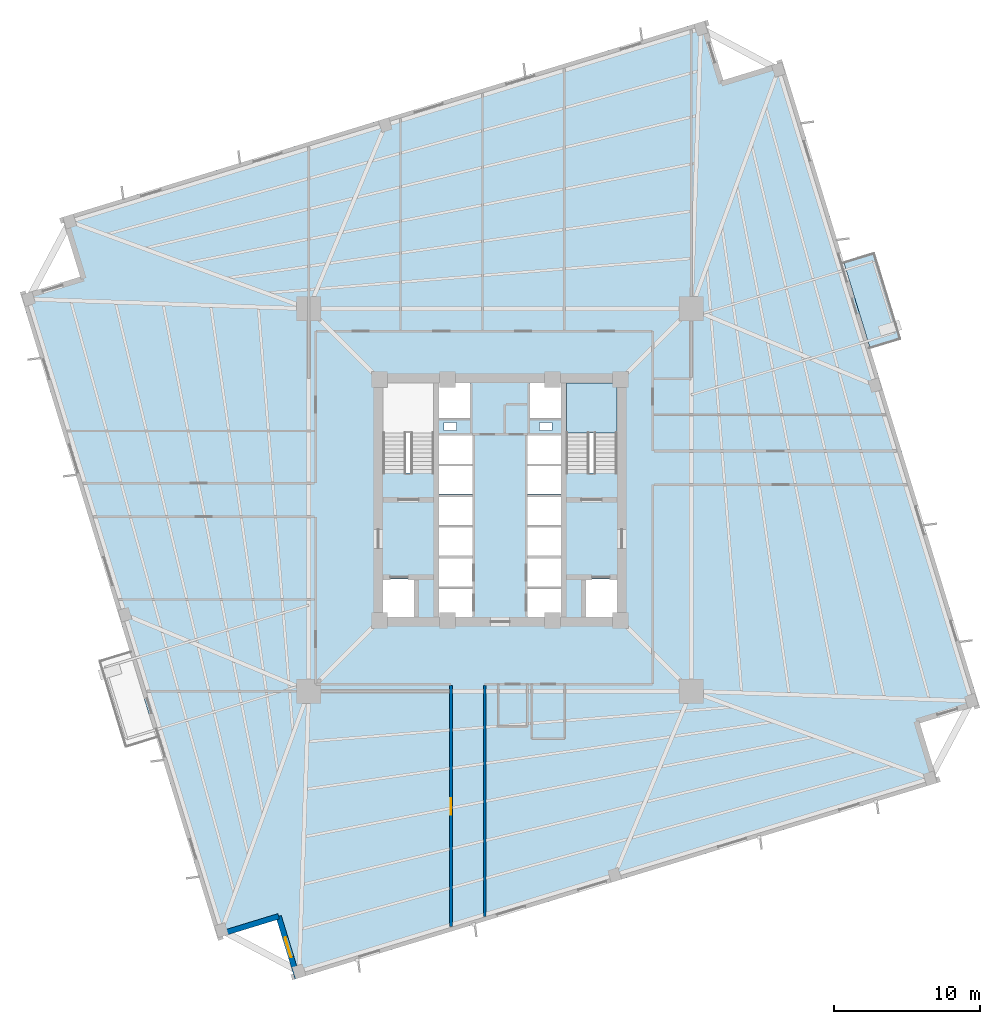
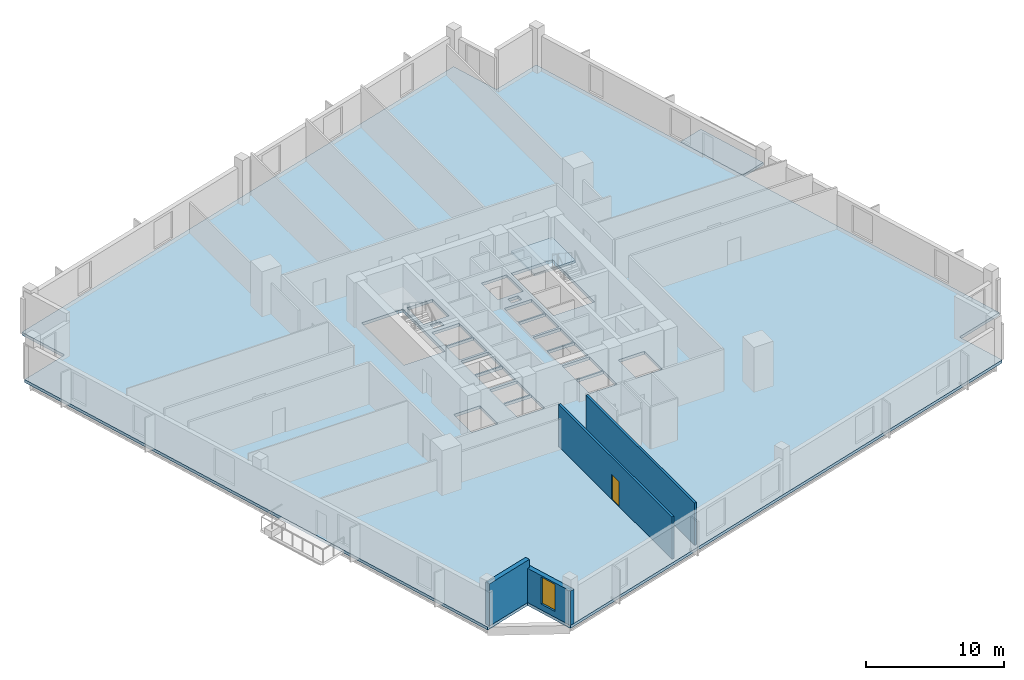
# One storey, part 2 of 9: 4 walls, 3 slabs, 1 door, 1 window, 2 openings, 1 element without a shape of its own.
"""IFC4 building model written with IfcOpenShell, lengths in metres."""

from ifc_helpers import new_model, si_unit, direction, frame, frame_2d, origin, place, context, subcontext, project, spatial, polyline, rectangle, outline, extrude, source, transform, mapped, material, layer, layer_set, type_object, element, fill, aggregate, save


model = new_model("IFC4")

# Units and contexts
model_context = context("Model", 3, precision=1e-05, world=origin(), true_north=direction((0.0, 1.0)))
body_context = subcontext(model_context, "Body", "Model", "MODEL_VIEW")
ifc_project = project(units=[si_unit("LENGTHUNIT", "METRE"), si_unit("AREAUNIT", "SQUARE_METRE"), si_unit("VOLUMEUNIT", "CUBIC_METRE"), si_unit("PLANEANGLEUNIT", "RADIAN"), si_unit("MASSUNIT", "GRAM", prefix="KILO"), si_unit("THERMODYNAMICTEMPERATUREUNIT", "KELVIN")], contexts=[model_context])

# Site, building, storey
site_placement = place(None, origin())
site = spatial("IfcSite", under=ifc_project, at=site_placement, CompositionType="ELEMENT")
building_placement = place(site_placement, origin())
building = spatial("IfcBuilding", under=site, at=building_placement, Name="Kosmvard Interchange Tower", CompositionType="ELEMENT")
storey_placement = place(building_placement, frame((0.0, 0.0, 83.199951171875)))
storey = spatial("IfcBuildingStorey", under=building, at=storey_placement, Name="L19", CompositionType="ELEMENT", Elevation=83.199951171875)

# Slab
ifc_material_1 = material(Name="Concrete C50/60", Category="concrete")
ifc_layer_1 = layer(ifc_material_1, 0.260009765625, Name="Concrete C50/60")
ifc_layer_set_1 = layer_set([ifc_layer_1], Name="Concrete C50/60")
slab_type_1 = type_object("IfcSlabType", Name="Mid-Rise Office Composite Slab 260 C50/60", PredefinedType="FLOOR", material=ifc_layer_set_1)
slab_1_placement = place(storey_placement, frame((0.0, 0.0, -0.260009765625)))
element("IfcSlab", 1, at=slab_1_placement, inside=storey, type_object=slab_type_1, Name="L19 Structural Floor Slab", PredefinedType="FLOOR", context=body_context, shape_type="SweptSolid", body=[
    extrude(outline(polyline([(-14.02783203125, -32.783935546875), (29.962158203125, -19.334716796875), (28.719482421875, -15.2705078125), (32.783935546875, -14.02783203125), (19.334716796875, 29.962158203125), (15.2705078125, 28.719482421875), (14.02783203125, 32.783935546875), (-29.962158203125, 19.334716796875), (-28.719482421875, 15.2705078125), (-32.783935546875, 14.02783203125), (-19.334716796875, -29.962158203125), (-15.2705078125, -28.719482421875), (-14.02783203125, -32.783935546875)]), holes=[polyline([(-8.0, 1.8349609375), (-4.5400390625, 1.8349609375), (-4.5400390625, 8.0), (-8.0, 8.0), (-8.0, 1.8349609375)]), polyline([(4.5400390625, 1.8349609375), (8.0, 1.8349609375), (8.0, 8.0), (4.5400390625, 8.0), (4.5400390625, 1.8349609375)]), polyline([(-8.0, -8.0), (-5.800048828125, -8.0), (-5.800048828125, -5.39990234375), (-8.0, -5.39990234375), (-8.0, -8.0)]), polyline([(5.800048828125, -8.0), (8.0, -8.0), (8.0, -5.39990234375), (5.800048828125, -5.39990234375), (5.800048828125, -8.0)]), polyline([(-4.179931640625, -8.0), (-1.8798828125, -8.0), (-1.8798828125, -6.06005859375), (-4.179931640625, -6.06005859375), (-4.179931640625, -8.0)]), polyline([(-4.179931640625, -5.93994140625), (-1.8798828125, -5.93994140625), (-1.8798828125, -4.0), (-4.179931640625, -4.0), (-4.179931640625, -5.93994140625)]), polyline([(1.8798828125, -8.0), (4.179931640625, -8.0), (4.179931640625, -6.06005859375), (1.8798828125, -6.06005859375), (1.8798828125, -8.0)]), polyline([(1.8798828125, -5.93994140625), (4.179931640625, -5.93994140625), (4.179931640625, -4.0), (1.8798828125, -4.0), (1.8798828125, -5.93994140625)]), polyline([(-4.179931640625, -3.800048828125), (-1.8798828125, -3.800048828125), (-1.8798828125, -1.860107421875), (-4.179931640625, -1.860107421875), (-4.179931640625, -3.800048828125)]), polyline([(-4.179931640625, -1.739990234375), (-1.8798828125, -1.739990234375), (-1.8798828125, 0.199951171875), (-4.179931640625, 0.199951171875), (-4.179931640625, -1.739990234375)]), polyline([(1.8798828125, -3.800048828125), (4.179931640625, -3.800048828125), (4.179931640625, -1.860107421875), (1.8798828125, -1.860107421875), (1.8798828125, -3.800048828125)]), polyline([(1.8798828125, -1.739990234375), (4.179931640625, -1.739990234375), (4.179931640625, 0.199951171875), (1.8798828125, 0.199951171875), (1.8798828125, -1.739990234375)]), polyline([(-4.179931640625, 0.39990234375), (-1.8798828125, 0.39990234375), (-1.8798828125, 2.340087890625), (-4.179931640625, 2.340087890625), (-4.179931640625, 0.39990234375)]), polyline([(-4.179931640625, 2.4599609375), (-1.8798828125, 2.4599609375), (-1.8798828125, 4.39990234375), (-4.179931640625, 4.39990234375), (-4.179931640625, 2.4599609375)]), polyline([(1.8798828125, 0.39990234375), (4.179931640625, 0.39990234375), (4.179931640625, 2.340087890625), (1.8798828125, 2.340087890625), (1.8798828125, 0.39990234375)]), polyline([(1.8798828125, 2.4599609375), (4.179931640625, 2.4599609375), (4.179931640625, 4.39990234375), (1.8798828125, 4.39990234375), (1.8798828125, 2.4599609375)]), polyline([(-4.179931640625, 5.60009765625), (-2.0400390625, 5.60009765625), (-2.0400390625, 8.0), (-4.179931640625, 8.0), (-4.179931640625, 5.60009765625)]), polyline([(2.0400390625, 5.60009765625), (4.179931640625, 5.60009765625), (4.179931640625, 8.0), (2.0400390625, 8.0), (2.0400390625, 5.60009765625)]), polyline([(-3.81494140625, 4.739990234375), (-2.965087890625, 4.739990234375), (-2.965087890625, 5.2900390625), (-3.81494140625, 5.2900390625), (-3.81494140625, 4.739990234375)]), polyline([(2.715087890625, 4.739990234375), (3.56494140625, 4.739990234375), (3.56494140625, 5.2900390625), (2.715087890625, 5.2900390625), (2.715087890625, 4.739990234375)])]), origin(), (0.0, 0.0, 1.0), 0.260009765625),
])

# Stair, slab
stair_type = type_object("IfcStairType", Name="Dog-Leg Core Exit Stair H4000 C50/60", PredefinedType="HALF_TURN_STAIR", material=ifc_material_1)
stair_placement = place(storey_placement, origin())
stair = element("IfcStair", 2, at=stair_placement, inside=storey, type_object=stair_type, Name="L19 Protected Exit Stair ST-2", PredefinedType="HALF_TURN_STAIR")
ifc_layer_2 = layer(ifc_material_1, 0.199951171875, Name="Concrete C50/60")
ifc_layer_set_2 = layer_set([ifc_layer_2], Name="Concrete C50/60")
slab_type_2 = type_object("IfcSlabType", Name="Stair Half-Landing Slab 200 C50/60", PredefinedType="LANDING", material=ifc_layer_set_2)
slab_2_placement = place(storey_placement, frame((0.0, 0.0, 1.800048828125)))
slab_2 = element("IfcSlab", 3, at=slab_2_placement, type_object=slab_type_2, Name="ST-2 landing 1", PredefinedType="LANDING", context=body_context, shape_type="SweptSolid", body=[
    extrude(outline(polyline([(8.0, 4.60009765625), (8.0, 8.0), (4.5400390625, 8.0), (4.5400390625, 4.60009765625), (8.0, 4.60009765625)])), origin(), (0.0, 0.0, 1.0), 0.199951171875),
])
aggregate(stair, [slab_2])

# Slab
ifc_layer_3 = layer(ifc_material_1, 0.22998046875, Name="Concrete C50/60")
ifc_layer_set_3 = layer_set([ifc_layer_3], Name="Concrete C50/60")
slab_type_3 = type_object("IfcSlabType", Name="Tree-Planter Cantilever Balcony Slab 230 C50/60", PredefinedType="FLOOR", material=ifc_layer_set_3)
slab_3_placement = place(storey_placement, frame((0.0, 0.0, -0.22998046875)))
element("IfcSlab", 4, at=slab_3_placement, inside=storey, type_object=slab_type_3, Name="L19 Outdoor Terrace Balcony Slab BAL-L19-E", PredefinedType="FLOOR", context=body_context, shape_type="SweptSolid", body=[
    extrude(outline(polyline([(25.328369140625, 10.35791015625), (27.43212890625, 11.001220703125), (25.61962890625, 16.93017578125), (23.515625, 16.286865234375), (25.328369140625, 10.35791015625)])), origin(), (0.0, 0.0, 1.0), 0.22998046875),
])

# Wall, opening, door
ifc_material_2 = material(Name="Fire-rated gypsum partition system")
ifc_layer_4 = layer(ifc_material_2, 0.179931640625, Name="Fire-rated gypsum partition system")
ifc_layer_set_4 = layer_set([ifc_layer_4], Name="Fire-rated gypsum partition system")
wall_type_1 = type_object("IfcWallType", Name="Corridor & Hotel Compartment Partition 180", PredefinedType="PARTITIONING", material=ifc_layer_set_4)
wall_1_placement = place(storey_placement, frame((-3.35009765625, -29.18994140625, 0.0), z_axis=(0.0, 0.0, 1.0), x_axis=(0.0, 1.0, 0.0)))
wall_1 = element("IfcWall", 5, at=wall_1_placement, inside=storey, type_object=wall_type_1, Name="L19 Corridor Wall SSW", PredefinedType="PARTITIONING", context=body_context, shape_type="SweptSolid", body=[
    extrude(rectangle(XDim=16.489990234375, YDim=0.179931640625, at=frame_2d((8.2451171875, 0.0))), origin(), (0.0, 0.0, 1.0), 3.739990234375),
])
opening_1_placement = place(wall_1_placement, frame((7.6689453125, 0.0, 0.0)))
opening_1 = element("IfcOpeningElement", 6, at=opening_1_placement, cuts=wall_1, Name="Opening L19-D14", PredefinedType="OPENING", context=body_context, shape_type="SweptSolid", body=[
    extrude(rectangle(XDim=1.10009765625, YDim=2.199951171875, at=frame_2d((0.550048828125, 1.10009765625))), frame((0.0, 0.10009765625, 0.0), z_axis=(0.0, -1.0, 0.0), x_axis=(1.0, 0.0, 0.0)), (0.0, 0.0, 1.0), 0.199951171875),
])
ifc_material_3 = material(Name="Engineered oak fire-rated timber", Category="wood")
door_type = type_object("IfcDoorType", Name="Office Suite Entrance Door 1100x2200 FD30S", OperationType="NOTDEFINED", PredefinedType="DOOR", material=ifc_material_3)
shared_shape_1 = source(origin(), body_context, "Body", "SweptSolid", [
    extrude(rectangle(XDim=1.10009765625, YDim=2.199951171875, at=frame_2d((0.550048828125, 1.10009765625))), frame((0.0, 0.02490234375, 0.0), z_axis=(0.0, -1.0, 0.0), x_axis=(1.0, 0.0, 0.0)), (0.0, 0.0, 1.0), 0.050048828125),
])
door_placement = place(opening_1_placement, origin())
door = element("IfcDoor", 7, at=door_placement, inside=storey, type_object=door_type, Name="L19 South-West Director Office Door", OperationType="SINGLE_SWING_RIGHT", OverallHeight=2.199951171875, OverallWidth=1.10009765625, PredefinedType="DOOR", context=body_context, shape_type="MappedRepresentation", body=[
    mapped(shared_shape_1, transform((0.0, 0.0, 0.0), scale=1.0)),
])
fill(opening_1, door)

# Walls
wall_2_placement = place(storey_placement, frame((-1.050048828125, -28.48681640625, 0.0), z_axis=(0.0, 0.0, 1.0), x_axis=(0.0, 1.0, 0.0)))
element("IfcWall", 8, at=wall_2_placement, inside=storey, type_object=wall_type_1, Name="L19 Corridor Wall SSE", PredefinedType="PARTITIONING", context=body_context, shape_type="SweptSolid", body=[
    extrude(rectangle(XDim=15.786865234375, YDim=0.179931640625, at=frame_2d((7.8935546875, 0.0))), origin(), (0.0, 0.0, 1.0), 3.739990234375),
])
ifc_material_4 = material(Name="Precast concrete C45/55", Category="concrete")
ifc_layer_5 = layer(ifc_material_4, 0.3798828125, Name="Precast concrete C45/55")
ifc_layer_set_5 = layer_set([ifc_layer_5], Name="Precast concrete C45/55")
wall_type_2 = type_object("IfcWallType", Name="Lower Tower Precast Pier Wall 380 C45/55", PredefinedType="STANDARD", material=ifc_layer_set_5)
wall_3_placement = place(storey_placement, frame((-19.20849609375, -29.724853515625, 0.0), z_axis=(0.0, 0.0, 1.0), x_axis=(0.956312764915, 0.292345507338, 0.0)))
element("IfcWall", 9, at=wall_3_placement, inside=storey, type_object=wall_type_2, Name="L19 Precast Facade Wall N-SW1", PredefinedType="STANDARD", context=body_context, shape_type="SweptSolid", body=[
    extrude(rectangle(XDim=4.249755859375, YDim=0.3798828125, at=frame_2d((2.125, 0.0))), origin(), (0.0, 0.0, 1.0), 3.739990234375),
])

# Wall, opening, window
wall_4_placement = place(storey_placement, frame((-15.144287109375, -28.482421875, 0.0), z_axis=(0.0, 0.0, 1.0), x_axis=(0.292373601522, -0.956304176051, 0.0)))
wall_4 = element("IfcWall", 10, at=wall_4_placement, inside=storey, type_object=wall_type_2, Name="L19 Precast Facade Wall N-SW2", PredefinedType="STANDARD", context=body_context, shape_type="SweptSolid", body=[
    extrude(rectangle(XDim=4.43994140625, YDim=0.3798828125, at=frame_2d((2.219970703125, 0.0))), origin(), (0.0, 0.0, 1.0), 3.0400390625),
])
opening_2_placement = place(wall_4_placement, frame((1.52001953125, 0.0, 0.510009765625)))
opening_2 = element("IfcOpeningElement", 11, at=opening_2_placement, cuts=wall_4, Name="Opening L19-W23", PredefinedType="OPENING", context=body_context, shape_type="SweptSolid", body=[
    extrude(rectangle(XDim=1.39990234375, YDim=2.39990234375, at=frame_2d((0.699951171875, 1.199951171875))), frame((0.0, 0.199951171875, 0.0), z_axis=(0.0, -1.0, 0.0), x_axis=(1.0, 0.0, 0.0)), (0.0, 0.0, 1.0), 0.39990234375),
])
ifc_material_5 = material(Name="Low-E solar-control double glazing", Category="glass")
window_type = type_object("IfcWindowType", Name="Notched Corner Feature Window 1400x2400", PartitioningType="SINGLE_PANEL", PredefinedType="WINDOW", material=ifc_material_5)
shared_shape_2 = source(origin(), body_context, "Body", "SweptSolid", [
    extrude(rectangle(XDim=1.39990234375, YDim=2.39990234375, at=frame_2d((0.699951171875, 1.199951171875))), frame((0.0, 0.030029296875, 0.0), z_axis=(0.0, -1.0, 0.0), x_axis=(1.0, 0.0, 0.0)), (0.0, 0.0, 1.0), 0.06005859375),
])
window_placement = place(opening_2_placement, origin())
window = element("IfcWindow", 12, at=window_placement, inside=storey, type_object=window_type, Name="L19 Corner Notch Window 23", OverallHeight=2.39990234375, OverallWidth=1.39990234375, PartitioningType="SINGLE_PANEL", PredefinedType="WINDOW", context=body_context, shape_type="MappedRepresentation", body=[
    mapped(shared_shape_2, transform((0.0, 0.0, 0.0), scale=1.0)),
])
fill(opening_2, window)

save(model, "model.ifc")
